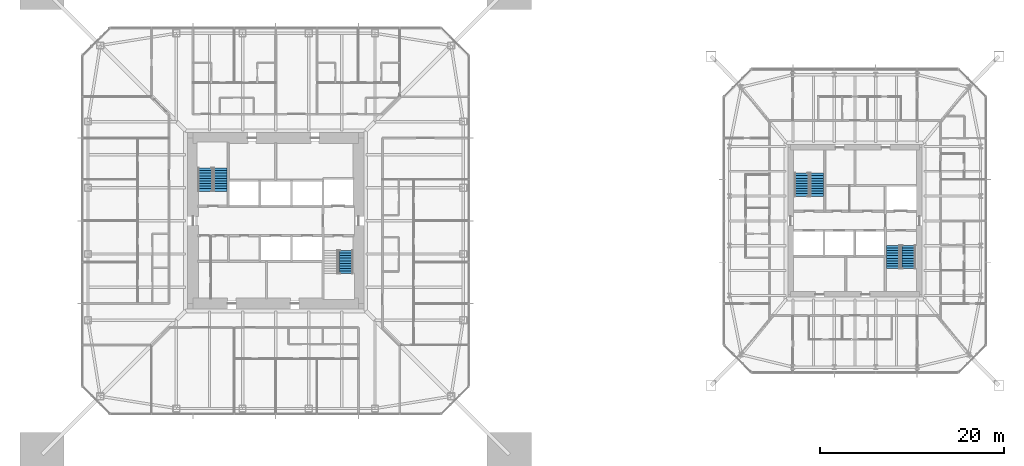
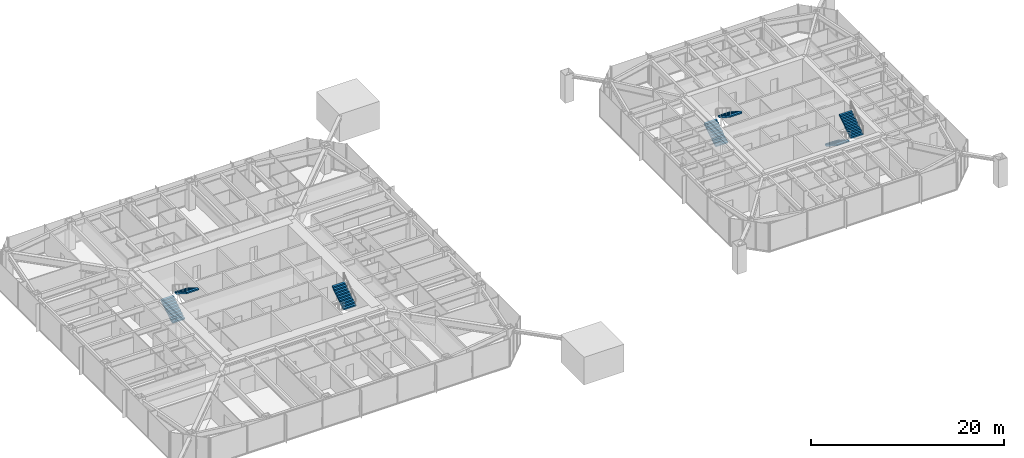
# One storey, part 20 of 25: 7 stair flights, 4 elements without a shape of their own.
"""IFC4 building model written with IfcOpenShell, lengths in metres."""

from ifc_helpers import new_model, si_unit, direction, frame, origin, place, context, subcontext, project, spatial, polyline, outline, extrude, material, constituent, constituent_set, type_object, element, aggregate, save


model = new_model("IFC4")

# Units and contexts
model_context = context("Model", 3, precision=1e-05, world=origin(), true_north=direction((0.0, 1.0)))
body_context = subcontext(model_context, "Body", "Model", "MODEL_VIEW")
ifc_project = project(units=[si_unit("LENGTHUNIT", "METRE"), si_unit("AREAUNIT", "SQUARE_METRE"), si_unit("VOLUMEUNIT", "CUBIC_METRE"), si_unit("PLANEANGLEUNIT", "RADIAN"), si_unit("MASSUNIT", "GRAM", prefix="KILO")], contexts=[model_context])

# Site, building, storey
site_placement = place(None, origin())
site = spatial("IfcSite", under=ifc_project, at=site_placement, CompositionType="ELEMENT")
building_placement = place(site_placement, origin())
building = spatial("IfcBuilding", under=site, at=building_placement, Name="Iwan Alto Co-Living Towers", CompositionType="ELEMENT")
storey_placement = place(building_placement, frame((0.0, 0.0, 105.0)))
storey = spatial("IfcBuildingStorey", under=building, at=storey_placement, Name="L28", CompositionType="ELEMENT", Elevation=105.0)

# Stair, stair flights
ifc_material_1 = material(Name="Steel ASTM A36", Category="steel")
ifc_constituent_1 = constituent(ifc_material_1, Name="Stringers", Category="LoadBearing")
ifc_material_2 = material(Name="Concrete f'c 30 MPa", Category="concrete")
ifc_constituent_2 = constituent(ifc_material_2, Name="Tread fill", Category="Finish")
ifc_constituent_set_1 = constituent_set(constituents=[ifc_constituent_1, ifc_constituent_2], Name="STAIR 3500 TWO-FLIGHT T1 CORE")
stair_type_1 = type_object("IfcStairType", Name="STAIR 3500 TWO-FLIGHT T1 CORE", PredefinedType="HALF_TURN_STAIR", material=ifc_constituent_set_1)
stair_1_placement = place(storey_placement, origin())
stair_1 = element("IfcStair", 1, at=stair_1_placement, inside=storey, type_object=stair_type_1, Name="Stair T1-S1 L28 to L29", PredefinedType="HALF_TURN_STAIR")
ifc_constituent_3 = constituent(ifc_material_1, Name="Stringers", Category="LoadBearing")
ifc_constituent_4 = constituent(ifc_material_2, Name="Tread fill", Category="Finish")
ifc_constituent_set_2 = constituent_set(constituents=[ifc_constituent_3, ifc_constituent_4], Name="STAIR FLIGHT 10 RISERS 280 GOING")
stair_flight_type = type_object("IfcStairFlightType", Name="STAIR FLIGHT 10 RISERS 280 GOING", PredefinedType="STRAIGHT", material=ifc_constituent_set_2)
stair_flight_1_placement = place(storey_placement, frame((-7.68994140625, 3.219970703125, 0.0), z_axis=(0.0, 0.0, 1.0), x_axis=(0.0, 1.0, 0.0)))
stair_flight_1 = element("IfcStairFlight", 2, at=stair_flight_1_placement, type_object=stair_flight_type, Name="T1-S1 flight 1", NumberOfRisers=10, NumberOfTreads=9, PredefinedType="STRAIGHT", RiserHeight=0.175, TreadLength=0.28, context=body_context, shape_type="SweptSolid", body=[
    extrude(outline(polyline([(0.0, 0.0), (0.0, 0.175048828125), (0.280029296875, 0.175048828125), (0.280029296875, 0.35009765625), (0.56005859375, 0.35009765625), (0.56005859375, 0.52490234375), (0.840087890625, 0.52490234375), (0.840087890625, 0.699951171875), (1.1201171875, 0.699951171875), (1.1201171875, 0.875), (1.39990234375, 0.875), (1.39990234375, 1.050048828125), (1.679931640625, 1.050048828125), (1.679931640625, 1.22509765625), (1.9599609375, 1.22509765625), (1.9599609375, 1.39990234375), (2.239990234375, 1.39990234375), (2.239990234375, 1.574951171875), (2.52001953125, 1.574951171875), (2.52001953125, 1.75), (2.52001953125, 1.398193359375), (0.28271484375, 0.0), (0.0, 0.0)])), frame((0.0, 0.739990234375, 0.0), z_axis=(0.0, -1.0, 0.0), x_axis=(1.0, 0.0, 0.0)), (0.0, 0.0, 1.0), 1.47998046875),
])
stair_flight_2_placement = place(storey_placement, frame((-6.010009765625, 5.739990234375, 1.75), z_axis=(0.0, 0.0, 1.0), x_axis=(0.0, -1.0, 0.0)))
stair_flight_2 = element("IfcStairFlight", 3, at=stair_flight_2_placement, type_object=stair_flight_type, Name="T1-S1 flight 2", NumberOfRisers=10, NumberOfTreads=9, PredefinedType="STRAIGHT", RiserHeight=0.175, TreadLength=0.28, context=body_context, shape_type="SweptSolid", body=[
    extrude(outline(polyline([(0.0, 0.0), (0.0, 0.175048828125), (0.280029296875, 0.175048828125), (0.280029296875, 0.35009765625), (0.56005859375, 0.35009765625), (0.56005859375, 0.52490234375), (0.840087890625, 0.52490234375), (0.840087890625, 0.699951171875), (1.1201171875, 0.699951171875), (1.1201171875, 0.875), (1.39990234375, 0.875), (1.39990234375, 1.050048828125), (1.679931640625, 1.050048828125), (1.679931640625, 1.22509765625), (1.9599609375, 1.22509765625), (1.9599609375, 1.39990234375), (2.239990234375, 1.39990234375), (2.239990234375, 1.574951171875), (2.52001953125, 1.574951171875), (2.52001953125, 1.75), (2.52001953125, 1.398193359375), (0.28271484375, 0.0), (0.0, 0.0)])), frame((0.0, 0.739990234375, 0.0), z_axis=(0.0, -1.0, 0.0), x_axis=(1.0, 0.0, 0.0)), (0.0, 0.0, 1.0), 1.47998046875),
])
aggregate(stair_1, [stair_flight_1, stair_flight_2])

# Stair, stair flight
stair_2_placement = place(storey_placement, origin())
stair_2 = element("IfcStair", 4, at=stair_2_placement, inside=storey, type_object=stair_type_1, Name="Stair T1-S2 L28 to L29", PredefinedType="HALF_TURN_STAIR")
stair_flight_3_placement = place(storey_placement, frame((7.68994140625, -5.739990234375, 1.75), z_axis=(0.0, 0.0, 1.0), x_axis=(0.0, 1.0, 0.0)))
stair_flight_3 = element("IfcStairFlight", 5, at=stair_flight_3_placement, type_object=stair_flight_type, Name="T1-S2 flight 2", NumberOfRisers=10, NumberOfTreads=9, PredefinedType="STRAIGHT", RiserHeight=0.175, TreadLength=0.28, context=body_context, shape_type="SweptSolid", body=[
    extrude(outline(polyline([(0.0, 0.0), (0.0, 0.175048828125), (0.280029296875, 0.175048828125), (0.280029296875, 0.35009765625), (0.56005859375, 0.35009765625), (0.56005859375, 0.52490234375), (0.840087890625, 0.52490234375), (0.840087890625, 0.699951171875), (1.1201171875, 0.699951171875), (1.1201171875, 0.875), (1.39990234375, 0.875), (1.39990234375, 1.050048828125), (1.679931640625, 1.050048828125), (1.679931640625, 1.22509765625), (1.9599609375, 1.22509765625), (1.9599609375, 1.39990234375), (2.239990234375, 1.39990234375), (2.239990234375, 1.574951171875), (2.52001953125, 1.574951171875), (2.52001953125, 1.75), (2.52001953125, 1.398193359375), (0.28271484375, 0.0), (0.0, 0.0)])), frame((0.0, 0.739990234375, 0.0), z_axis=(0.0, -1.0, 0.0), x_axis=(1.0, 0.0, 0.0)), (0.0, 0.0, 1.0), 1.47998046875),
])
aggregate(stair_2, [stair_flight_3])

# Stair, stair flights
ifc_constituent_5 = constituent(ifc_material_1, Name="Stringers", Category="LoadBearing")
ifc_constituent_6 = constituent(ifc_material_2, Name="Tread fill", Category="Finish")
ifc_constituent_set_3 = constituent_set(constituents=[ifc_constituent_5, ifc_constituent_6], Name="STAIR 3500 TWO-FLIGHT T2 CORE")
stair_type_2 = type_object("IfcStairType", Name="STAIR 3500 TWO-FLIGHT T2 CORE", PredefinedType="HALF_TURN_STAIR", material=ifc_constituent_set_3)
stair_3_placement = place(storey_placement, origin())
stair_3 = element("IfcStair", 6, at=stair_3_placement, inside=storey, type_object=stair_type_2, Name="Stair T2-S1 L28 to L29", PredefinedType="HALF_TURN_STAIR")
stair_flight_4_placement = place(storey_placement, frame((57.159912109375, 2.669921875, 0.0), z_axis=(0.0, 0.0, 1.0), x_axis=(0.0, 1.0, 0.0)))
stair_flight_4 = element("IfcStairFlight", 7, at=stair_flight_4_placement, type_object=stair_flight_type, Name="T2-S1 flight 1", NumberOfRisers=10, NumberOfTreads=9, PredefinedType="STRAIGHT", RiserHeight=0.175, TreadLength=0.28, context=body_context, shape_type="SweptSolid", body=[
    extrude(outline(polyline([(0.0, 0.0), (0.0, 0.175048828125), (0.280029296875, 0.175048828125), (0.280029296875, 0.35009765625), (0.56005859375, 0.35009765625), (0.56005859375, 0.52490234375), (0.840087890625, 0.52490234375), (0.840087890625, 0.699951171875), (1.1201171875, 0.699951171875), (1.1201171875, 0.875), (1.39990234375, 0.875), (1.39990234375, 1.050048828125), (1.679931640625, 1.050048828125), (1.679931640625, 1.22509765625), (1.9599609375, 1.22509765625), (1.9599609375, 1.39990234375), (2.239990234375, 1.39990234375), (2.239990234375, 1.574951171875), (2.52001953125, 1.574951171875), (2.52001953125, 1.75), (2.52001953125, 1.398193359375), (0.28271484375, 0.0), (0.0, 0.0)])), frame((0.0, 0.739990234375, 0.0), z_axis=(0.0, -1.0, 0.0), x_axis=(1.0, 0.0, 0.0)), (0.0, 0.0, 1.0), 1.47998046875),
])
stair_flight_5_placement = place(storey_placement, frame((58.840087890625, 5.18994140625, 1.75), z_axis=(0.0, 0.0, 1.0), x_axis=(0.0, -1.0, 0.0)))
stair_flight_5 = element("IfcStairFlight", 8, at=stair_flight_5_placement, type_object=stair_flight_type, Name="T2-S1 flight 2", NumberOfRisers=10, NumberOfTreads=9, PredefinedType="STRAIGHT", RiserHeight=0.175, TreadLength=0.28, context=body_context, shape_type="SweptSolid", body=[
    extrude(outline(polyline([(0.0, 0.0), (0.0, 0.175048828125), (0.280029296875, 0.175048828125), (0.280029296875, 0.35009765625), (0.56005859375, 0.35009765625), (0.56005859375, 0.52490234375), (0.840087890625, 0.52490234375), (0.840087890625, 0.699951171875), (1.1201171875, 0.699951171875), (1.1201171875, 0.875), (1.39990234375, 0.875), (1.39990234375, 1.050048828125), (1.679931640625, 1.050048828125), (1.679931640625, 1.22509765625), (1.9599609375, 1.22509765625), (1.9599609375, 1.39990234375), (2.239990234375, 1.39990234375), (2.239990234375, 1.574951171875), (2.52001953125, 1.574951171875), (2.52001953125, 1.75), (2.52001953125, 1.398193359375), (0.28271484375, 0.0), (0.0, 0.0)])), frame((0.0, 0.739990234375, 0.0), z_axis=(0.0, -1.0, 0.0), x_axis=(1.0, 0.0, 0.0)), (0.0, 0.0, 1.0), 1.47998046875),
])
aggregate(stair_3, [stair_flight_4, stair_flight_5])

stair_4_placement = place(storey_placement, origin())
stair_4 = element("IfcStair", 9, at=stair_4_placement, inside=storey, type_object=stair_type_2, Name="Stair T2-S2 L28 to L29", PredefinedType="HALF_TURN_STAIR")
stair_flight_6_placement = place(storey_placement, frame((67.159912109375, -2.669921875, 0.0), z_axis=(0.0, 0.0, 1.0), x_axis=(0.0, -1.0, 0.0)))
stair_flight_6 = element("IfcStairFlight", 10, at=stair_flight_6_placement, type_object=stair_flight_type, Name="T2-S2 flight 1", NumberOfRisers=10, NumberOfTreads=9, PredefinedType="STRAIGHT", RiserHeight=0.175, TreadLength=0.28, context=body_context, shape_type="SweptSolid", body=[
    extrude(outline(polyline([(0.0, 0.0), (0.0, 0.175048828125), (0.280029296875, 0.175048828125), (0.280029296875, 0.35009765625), (0.56005859375, 0.35009765625), (0.56005859375, 0.52490234375), (0.840087890625, 0.52490234375), (0.840087890625, 0.699951171875), (1.1201171875, 0.699951171875), (1.1201171875, 0.875), (1.39990234375, 0.875), (1.39990234375, 1.050048828125), (1.679931640625, 1.050048828125), (1.679931640625, 1.22509765625), (1.9599609375, 1.22509765625), (1.9599609375, 1.39990234375), (2.239990234375, 1.39990234375), (2.239990234375, 1.574951171875), (2.52001953125, 1.574951171875), (2.52001953125, 1.75), (2.52001953125, 1.398193359375), (0.28271484375, 0.0), (0.0, 0.0)])), frame((0.0, 0.739990234375, 0.0), z_axis=(0.0, -1.0, 0.0), x_axis=(1.0, 0.0, 0.0)), (0.0, 0.0, 1.0), 1.47998046875),
])
stair_flight_7_placement = place(storey_placement, frame((68.840087890625, -5.18994140625, 1.75), z_axis=(0.0, 0.0, 1.0), x_axis=(0.0, 1.0, 0.0)))
stair_flight_7 = element("IfcStairFlight", 11, at=stair_flight_7_placement, type_object=stair_flight_type, Name="T2-S2 flight 2", NumberOfRisers=10, NumberOfTreads=9, PredefinedType="STRAIGHT", RiserHeight=0.175, TreadLength=0.28, context=body_context, shape_type="SweptSolid", body=[
    extrude(outline(polyline([(0.0, 0.0), (0.0, 0.175048828125), (0.280029296875, 0.175048828125), (0.280029296875, 0.35009765625), (0.56005859375, 0.35009765625), (0.56005859375, 0.52490234375), (0.840087890625, 0.52490234375), (0.840087890625, 0.699951171875), (1.1201171875, 0.699951171875), (1.1201171875, 0.875), (1.39990234375, 0.875), (1.39990234375, 1.050048828125), (1.679931640625, 1.050048828125), (1.679931640625, 1.22509765625), (1.9599609375, 1.22509765625), (1.9599609375, 1.39990234375), (2.239990234375, 1.39990234375), (2.239990234375, 1.574951171875), (2.52001953125, 1.574951171875), (2.52001953125, 1.75), (2.52001953125, 1.398193359375), (0.28271484375, 0.0), (0.0, 0.0)])), frame((0.0, 0.739990234375, 0.0), z_axis=(0.0, -1.0, 0.0), x_axis=(1.0, 0.0, 0.0)), (0.0, 0.0, 1.0), 1.47998046875),
])
aggregate(stair_4, [stair_flight_6, stair_flight_7])

save(model, "model.ifc")
